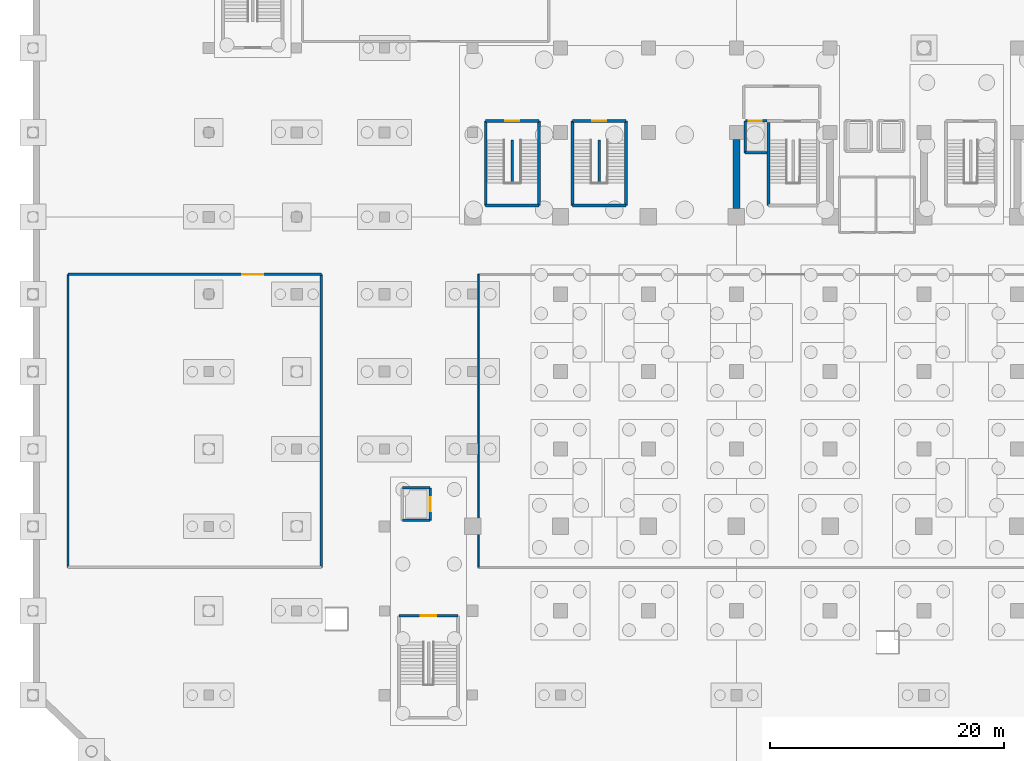
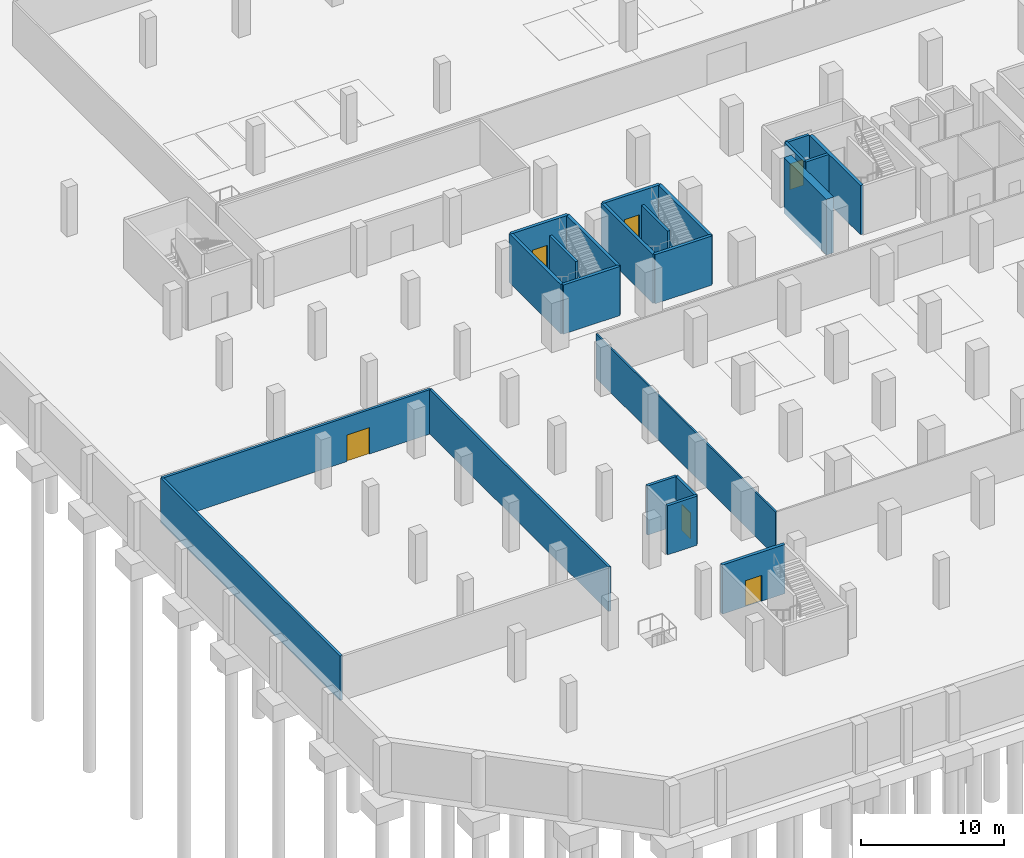
# One storey, part 7 of 26: 23 walls, 6 doors, 6 openings.
"""IFC4 building model written with IfcOpenShell, lengths in metres."""

import ifcopenshell
import ifcopenshell.guid

model = None  # the IFC model being written
_history = None  # IfcOwnerHistory: only IFC2X3 demands one
_inside = {}  # id of a spatial element -> (the spatial element, [elements in it])
_under = {}  # id of a project, library or spatial element -> (it, [spatial elements below it])
_declared = {}  # id of a project -> (the project, [libraries it declares])
_typed = {}  # id of a type object -> (the type object, [elements of that type])
_made_of = {}  # id of a material, layer set ... -> (it, [elements and type objects made of it])


def new_model(schema):
    """Start an empty IFC model of exactly this schema.

    Asked for "IFC4X3", IfcOpenShell would pick the latest addendum, in which some entities
    have other attributes; the version numbers below select the first issue.
    IFC2X3 requires an IfcOwnerHistory on every rooted entity: one is made here for all.
    """
    global model, _history
    if schema == "IFC4X3":
        model = ifcopenshell.file(schema_version=(4, 3, 0, 0))
    else:
        model = ifcopenshell.file(schema=schema)
    _inside.clear()
    _under.clear()
    _declared.clear()
    _typed.clear()
    _made_of.clear()
    _history = None
    if model.schema == "IFC2X3":
        org = make("IfcOrganization", Name="unknown")
        user = make(
            "IfcPersonAndOrganization",
            ThePerson=make("IfcPerson", FamilyName="unknown"),
            TheOrganization=org,
        )
        app = make(
            "IfcApplication",
            ApplicationDeveloper=org,
            Version="unknown",
            ApplicationFullName="unknown",
            ApplicationIdentifier="unknown",
        )
        _history = make(
            "IfcOwnerHistory",
            OwningUser=user,
            OwningApplication=app,
            ChangeAction="ADDED",
            CreationDate=0,
        )
    return model


def make(cls, **values):
    """One entity of the class cls with the attributes given. An attribute that is None is left unset."""
    return model.create_entity(
        cls, **{name: value for name, value in values.items() if value is not None}
    )


def rooted(cls, **values):
    """An entity with a GlobalId (a new one), such as an element, a storey or a relation."""
    return make(cls, GlobalId=ifcopenshell.guid.new(), OwnerHistory=_history, **values)


def si_unit(unit_type, name, prefix=None):
    """IfcSIUnit, for example si_unit("LENGTHUNIT", "METRE", prefix="MILLI")."""
    return make("IfcSIUnit", UnitType=unit_type, Prefix=prefix, Name=name)


def assignment(units):
    """IfcUnitAssignment: the units of a project."""
    return None if units is None else make("IfcUnitAssignment", Units=units)


def point(xyz):
    """IfcCartesianPoint."""
    return None if xyz is None else make("IfcCartesianPoint", Coordinates=xyz)


def direction(xyz):
    """IfcDirection."""
    return None if xyz is None else make("IfcDirection", DirectionRatios=xyz)


def frame(location, z_axis=None, x_axis=None):
    """IfcAxis2Placement3D, a coordinate frame: its origin and axes. An axis left out is left unset."""
    return make(
        "IfcAxis2Placement3D",
        Location=point(location),
        Axis=direction(z_axis),
        RefDirection=direction(x_axis),
    )


def frame_2d(location, x_axis=None):
    """IfcAxis2Placement2D, a coordinate frame in the plane: its origin and x axis."""
    return make(
        "IfcAxis2Placement2D", Location=point(location), RefDirection=direction(x_axis)
    )


def origin():
    """The frame at (0, 0, 0) with its axes left unset."""
    return frame((0.0, 0.0, 0.0))


def place(relative_to, where):
    """IfcLocalPlacement: puts the frame where relative to a parent placement (None: the world)."""
    return make(
        "IfcLocalPlacement", PlacementRelTo=relative_to, RelativePlacement=where
    )


def context(
    kind, dimensions, precision=None, world=None, true_north=None, identifier=None
):
    """IfcGeometricRepresentationContext, for example the 3D "Model" context."""
    return make(
        "IfcGeometricRepresentationContext",
        ContextIdentifier=identifier,
        ContextType=kind,
        CoordinateSpaceDimension=dimensions,
        Precision=precision,
        WorldCoordinateSystem=world,
        TrueNorth=true_north,
    )


def subcontext(parent, identifier, kind, view, scale=None):
    """IfcGeometricRepresentationSubContext, for example "Body" below "Model"."""
    return make(
        "IfcGeometricRepresentationSubContext",
        ContextIdentifier=identifier,
        ContextType=kind,
        ParentContext=parent,
        TargetScale=scale,
        TargetView=view,
    )


def project(units=None, contexts=None):
    """IfcProject with its units and contexts."""
    return rooted(
        "IfcProject",
        Name="project",
        RepresentationContexts=contexts,
        UnitsInContext=assignment(units),
    )


def spatial(cls, under=None, at=None, **own):
    """A site, building, storey or space (cls), placed at a placement, below another one or the project."""
    s = rooted(cls, ObjectPlacement=at, **own)
    if under is not None:
        _under.setdefault(under.id(), (under, []))[1].append(s)
    return s


def profile(cls, at=None, kind="AREA", **sizes):
    """A parametric profile (cls). Its sizes go by their IFC names, for example OverallWidth=200.0."""
    return make(cls, ProfileType=kind, Position=at, **sizes)


def rectangle(**sizes):
    """IfcRectangleProfileDef."""
    return profile("IfcRectangleProfileDef", **sizes)


def extrude(swept, where, along, depth):
    """IfcExtrudedAreaSolid: the profile swept, set in the frame where, extruded along a direction by depth."""
    return make(
        "IfcExtrudedAreaSolid",
        SweptArea=swept,
        Position=where,
        ExtrudedDirection=direction(along),
        Depth=depth,
    )


def shape(context_of_items, identifier, shape_type, items):
    """IfcShapeRepresentation: the items that make up one representation, for example the "Body"."""
    return make(
        "IfcShapeRepresentation",
        ContextOfItems=context_of_items,
        RepresentationIdentifier=identifier,
        RepresentationType=shape_type,
        Items=items,
    )


def material(Name=None, Category=None):
    """IfcMaterial."""
    return make("IfcMaterial", Name=Name, Category=Category)


def layer(
    of_material, thickness, ventilated=None, Name=None, Category=None, Priority=None
):
    """IfcMaterialLayer: one layer of a wall or slab, of a material (None: an air gap)."""
    return make(
        "IfcMaterialLayer",
        Material=of_material,
        LayerThickness=thickness,
        IsVentilated=ventilated,
        Name=Name,
        Category=Category,
        Priority=Priority,
    )


def layer_set(layers, Name=None):
    """IfcMaterialLayerSet."""
    return make("IfcMaterialLayerSet", MaterialLayers=layers, LayerSetName=Name)


def made_of(thing, what):
    """Note that an element or type object is made of a material, layer set ...; save() writes the relation."""
    if what is not None:
        _made_of.setdefault(what.id(), (what, []))[1].append(thing)
    return thing


def type_object(cls, material=None, **own):
    """A type object (cls), such as IfcWallType, which elements share."""
    return made_of(rooted(cls, **own), material)


def element(
    cls,
    number,
    at=None,
    inside=None,
    cuts=None,
    type_object=None,
    material=None,
    context=None,
    identifier="Body",
    shape_type=None,
    held_by="IfcProductDefinitionShape",
    body=None,
    shapes=None,
    **own,
):
    """One element of the class cls, such as IfcWall. Its Tag is "e" and its number.

    at: its placement. inside: the storey or other place that contains it. cuts: it is an
    opening in that element (IfcRelVoidsElement). A single representation is given by context,
    identifier, shape_type and body (its items); several are given by shapes. held_by: the class
    of the entity that holds the representations. save() writes the other relations.
    """
    e = rooted(cls, Tag="e%d" % number, ObjectPlacement=at, **own)
    if body is not None:
        shapes = [shape(context, identifier, shape_type, body)]
    if shapes is not None:
        e.Representation = make(held_by, Representations=shapes)
    if inside is not None:
        _inside.setdefault(inside.id(), (inside, []))[1].append(e)
    if cuts is not None:
        rooted(
            "IfcRelVoidsElement", RelatingBuildingElement=cuts, RelatedOpeningElement=e
        )
    if type_object is not None:
        _typed.setdefault(type_object.id(), (type_object, []))[1].append(e)
    return made_of(e, material)


def fill(opening, filler):
    """IfcRelFillsElement: the door or window that sits in an opening."""
    return rooted(
        "IfcRelFillsElement",
        RelatingOpeningElement=opening,
        RelatedBuildingElement=filler,
    )


def aggregate(whole, parts):
    """IfcRelAggregates: a whole, such as a stair, and the parts it consists of."""
    return rooted("IfcRelAggregates", RelatingObject=whole, RelatedObjects=parts)


def save(model, path):
    """Write the relations noted so far, then the file.

    IfcRelAggregates (storeys below a building ...), IfcRelContainedInSpatialStructure (elements
    in a storey), IfcRelDefinesByType, IfcRelAssociatesMaterial and IfcRelDeclares: one each for
    every whole, place, type object, material and project.
    """
    for whole, parts in _under.values():
        aggregate(whole, parts)
    for where, things in _inside.values():
        rooted(
            "IfcRelContainedInSpatialStructure",
            RelatedElements=things,
            RelatingStructure=where,
        )
    for kind, things in _typed.values():
        rooted("IfcRelDefinesByType", RelatedObjects=things, RelatingType=kind)
    for what, things in _made_of.values():
        rooted("IfcRelAssociatesMaterial", RelatedObjects=things, RelatingMaterial=what)
    for by, libraries in _declared.values():
        rooted("IfcRelDeclares", RelatingContext=by, RelatedDefinitions=libraries)
    model.write(path)


model = new_model("IFC4")

# Units and contexts
model_context = context("Model", 3, precision=1e-05, world=origin(), true_north=direction((0.0, 1.0)))
body_context = subcontext(model_context, "Body", "Model", "MODEL_VIEW")
ifc_project = project(units=[si_unit("LENGTHUNIT", "METRE"), si_unit("AREAUNIT", "SQUARE_METRE"), si_unit("VOLUMEUNIT", "CUBIC_METRE"), si_unit("PLANEANGLEUNIT", "RADIAN"), si_unit("MASSUNIT", "GRAM", prefix="KILO")], contexts=[model_context])

# Site, building, storey
site_placement = place(None, origin())
site = spatial("IfcSite", under=ifc_project, at=site_placement, CompositionType="ELEMENT")
building_placement = place(site_placement, origin())
building = spatial("IfcBuilding", under=site, at=building_placement, Name="Akrevak Sports Hall", CompositionType="ELEMENT")
storey_placement = place(building_placement, frame((0.0, 0.0, -9.0)))
storey = spatial("IfcBuildingStorey", under=building, at=storey_placement, Name="B02", CompositionType="ELEMENT", Elevation=-9.0)

# Wall
ifc_material_1 = material(Name="Acoustic Metal Stud Partition", Category="gypsum")
ifc_layer_1 = layer(ifc_material_1, 0.1298828125, Name="Acoustic Metal Stud Partition")
ifc_layer_set_1 = layer_set([ifc_layer_1], Name="Acoustic Metal Stud Partition")
wall_type_1 = type_object("IfcWallType", Name="ARC-WL-PRT-130", PredefinedType="PARTITIONING", material=ifc_layer_set_1)
wall_1_placement = place(storey_placement, frame((38.0, 25.300048828125, 0.0), z_axis=(0.0, 0.0, 1.0), x_axis=(0.0, 1.0, 0.0)))
element("IfcWall", 1, at=wall_1_placement, inside=storey, type_object=wall_type_1, Name="Interior Partition Underground Car Park Hall South B02 (W)", PredefinedType="PARTITIONING", context=body_context, shape_type="SweptSolid", body=[
    extrude(rectangle(XDim=25.0, YDim=0.1298828125, at=frame_2d((12.5, 0.0))), origin(), (0.0, 0.0, 1.0), 3.780029296875),
])

# Wall, opening, door
ifc_material_2 = material(Name="Autoclaved Aerated Masonry Block", Category="masonry")
ifc_layer_2 = layer(ifc_material_2, 0.199951171875, Name="Autoclaved Aerated Masonry Block")
ifc_layer_set_2 = layer_set([ifc_layer_2], Name="Autoclaved Aerated Masonry Block")
wall_type_2 = type_object("IfcWallType", Name="ARC-WL-PRT-200", PredefinedType="PARTITIONING", material=ifc_layer_set_2)
wall_2_placement = place(storey_placement, frame((3.0, 50.300048828125, 0.0), z_axis=(0.0, 0.0, 1.0), x_axis=(1.0, 0.0, 0.0)))
wall_2 = element("IfcWall", 2, at=wall_2_placement, inside=storey, type_object=wall_type_2, Name="Interior Partition Central Mechanical & Chiller Plant B02 (N)", PredefinedType="PARTITIONING", context=body_context, shape_type="SweptSolid", body=[
    extrude(rectangle(XDim=21.60009765625, YDim=0.199951171875, at=frame_2d((10.800048828125, 0.0))), origin(), (0.0, 0.0, 1.0), 3.780029296875),
])
opening_1_placement = place(wall_2_placement, frame((14.85009765625, 0.0, 0.0)))
opening_1 = element("IfcOpeningElement", 3, at=opening_1_placement, cuts=wall_2, Name="Opening ID-02", PredefinedType="OPENING", context=body_context, shape_type="SweptSolid", body=[
    extrude(rectangle(XDim=1.800048828125, YDim=2.25, at=frame_2d((0.89990234375, 1.125))), frame((0.0, 0.11181640625, 0.0), z_axis=(0.0, -1.0, 0.0), x_axis=(1.0, 0.0, 0.0)), (0.0, 0.0, 1.0), 0.223876953125),
])
ifc_material_3 = material(Name="Hardwood Oak & Safety Glass", Category="wood")
door_type_1 = type_object("IfcDoorType", Name="ARC-DR-HALL-180x225", OperationType="DOUBLE_DOOR_SINGLE_SWING", PredefinedType="DOOR", material=ifc_material_3)
door_1_placement = place(opening_1_placement, origin())
door_1 = element("IfcDoor", 4, at=door_1_placement, inside=storey, type_object=door_type_1, Name="Door to Central Mechanical & Chiller Plant B02", OperationType="DOUBLE_DOOR_SINGLE_SWING", OverallHeight=2.25, OverallWidth=1.800048828125, PredefinedType="DOOR", context=body_context, shape_type="SweptSolid", body=[
    extrude(rectangle(XDim=1.800048828125, YDim=2.25, at=frame_2d((0.89990234375, 1.125))), frame((0.0, 0.02490234375, 0.0), z_axis=(0.0, -1.0, 0.0), x_axis=(1.0, 0.0, 0.0)), (0.0, 0.0, 1.0), 0.050048828125),
])
fill(opening_1, door_1)

# Walls
for number, where, z_axis, x_axis, name in (
    (5, (3.0, 25.300048828125, 0.0), (0.0, 0.0, 1.0), (0.0, 1.0, 0.0), "Interior Partition Central Mechanical & Chiller Plant B02 (W)"),
    (6, (24.60009765625, 25.300048828125, 0.0), (0.0, 0.0, 1.0), (0.0, 1.0, 0.0), "Interior Partition Central Mechanical & Chiller Plant B02 (E)"),
):
    element("IfcWall", number, at=place(storey_placement, frame(where, z_axis=z_axis, x_axis=x_axis)), inside=storey, type_object=wall_type_2, Name=name, PredefinedType="PARTITIONING", context=body_context, shape_type="SweptSolid", body=[
        extrude(rectangle(XDim=25.0, YDim=0.199951171875, at=frame_2d((12.5, 0.0))), origin(), (0.0, 0.0, 1.0), 3.780029296875),
    ])
ifc_material_4 = material(Name="Concrete C40/50", Category="concrete")
ifc_layer_3 = layer(ifc_material_4, 0.219970703125, Name="Concrete C40/50")
ifc_layer_set_3 = layer_set([ifc_layer_3], Name="Concrete C40/50")
wall_type_3 = type_object("IfcWallType", Name="ARC-WL-PRT-220", PredefinedType="PARTITIONING", material=ifc_layer_set_3)
for number, where, z_axis, x_axis, name in (
    (7, (48.300048828125, 58.094970703125, 0.0), (0.0, 0.0, 1.0), (0.0, 1.0, 0.0), "Stair ST4 Central Spine Wall (B02)"),
    (8, (40.89990234375, 58.094970703125, 0.0), (0.0, 0.0, 1.0), (0.0, 1.0, 0.0), "Stair ST9 Central Spine Wall (B02)"),
):
    element("IfcWall", number, at=place(storey_placement, frame(where, z_axis=z_axis, x_axis=x_axis)), inside=storey, type_object=wall_type_3, Name=name, PredefinedType="PARTITIONING", context=body_context, shape_type="SweptSolid", body=[
        extrude(rectangle(XDim=3.64013671875, YDim=0.219970703125, at=frame_2d((1.820068359375, 0.0))), origin(), (0.0, 0.0, 1.0), 4.179931640625),
    ])
ifc_material_5 = material(Name="Concrete C50/60", Category="concrete")
ifc_layer_4 = layer(ifc_material_5, 0.219970703125, Name="Concrete C50/60")
ifc_layer_set_4 = layer_set([ifc_layer_4], Name="Concrete C50/60")
wall_type_4 = type_object("IfcWallType", Name="ARC-WL-SHAFT-220", PredefinedType="SHEAR", material=ifc_layer_set_4)
wall_3_placement = place(storey_placement, frame((60.760009765625, 60.659912109375, 0.0), z_axis=(0.0, 0.0, 1.0), x_axis=(1.0, 0.0, 0.0)))
element("IfcWall", 9, at=wall_3_placement, inside=storey, type_object=wall_type_4, Name="Lift Shaft LF-FF1 Wall S (B02)", PredefinedType="SHEAR", context=body_context, shape_type="SweptSolid", body=[
    extrude(rectangle(XDim=1.840087890625, YDim=0.219970703125, at=frame_2d((0.919921875, 0.0))), origin(), (0.0, 0.0, 1.0), 4.179931640625),
])

# Wall, opening, door
wall_4_placement = place(storey_placement, frame((62.60009765625, 63.389892578125, 0.0), z_axis=(0.0, 0.0, 1.0), x_axis=(-1.0, 0.0, 0.0)))
wall_4 = element("IfcWall", 10, at=wall_4_placement, inside=storey, type_object=wall_type_4, Name="Lift Shaft LF-FF1 Wall N (B02)", PredefinedType="SHEAR", context=body_context, shape_type="SweptSolid", body=[
    extrude(rectangle(XDim=1.840087890625, YDim=0.219970703125, at=frame_2d((0.919921875, 0.0))), origin(), (0.0, 0.0, 1.0), 4.179931640625),
])
opening_2_placement = place(wall_4_placement, frame((0.425048828125, 0.0, 0.0)))
opening_2 = element("IfcOpeningElement", 11, at=opening_2_placement, cuts=wall_4, Name="Opening LD-01", PredefinedType="OPENING", context=body_context, shape_type="SweptSolid", body=[
    extrude(rectangle(XDim=1.10009765625, YDim=2.199951171875, at=frame_2d((0.550048828125, 1.10009765625))), frame((0.0, 0.1220703125, 0.0), z_axis=(0.0, -1.0, 0.0), x_axis=(1.0, 0.0, 0.0)), (0.0, 0.0, 1.0), 0.243896484375),
])
ifc_material_6 = material(Name="Brushed Stainless Steel 304", Category="steel")
door_type_2 = type_object("IfcDoorType", Name="ARC-DR-LD-110x220", OperationType="SLIDING_TO_LEFT", PredefinedType="DOOR", material=ifc_material_6)
door_2_placement = place(opening_2_placement, origin())
door_2 = element("IfcDoor", 12, at=door_2_placement, inside=storey, type_object=door_type_2, Name="Lift LF-FF1 Sliding Landing Door (B02)", OperationType="SLIDING_TO_LEFT", OverallHeight=2.199951171875, OverallWidth=1.10009765625, PredefinedType="DOOR", context=body_context, shape_type="SweptSolid", body=[
    extrude(rectangle(XDim=1.10009765625, YDim=2.199951171875, at=frame_2d((0.550048828125, 1.10009765625))), frame((0.0, 0.02490234375, 0.0), z_axis=(0.0, -1.0, 0.0), x_axis=(1.0, 0.0, 0.0)), (0.0, 0.0, 1.0), 0.050048828125),
])
fill(opening_2, door_2)

# Walls
wall_5_placement = place(storey_placement, frame((60.760009765625, 63.389892578125, 0.0), z_axis=(0.0, 0.0, 1.0), x_axis=(0.0, -1.0, 0.0)))
element("IfcWall", 13, at=wall_5_placement, inside=storey, type_object=wall_type_4, Name="Lift Shaft LF-FF1 Wall W (B02)", PredefinedType="SHEAR", context=body_context, shape_type="SweptSolid", body=[
    extrude(rectangle(XDim=2.72998046875, YDim=0.219970703125, at=frame_2d((1.364990234375, 0.0))), origin(), (0.0, 0.0, 1.0), 4.179931640625),
])
for number, where, z_axis, x_axis, name in (
    (14, (31.510009765625, 29.31005859375, 0.0), (0.0, 0.0, 1.0), (1.0, 0.0, 0.0), "Lift Shaft LF-G1 Wall S (B02)"),
    (15, (33.889892578125, 32.090087890625, 0.0), (0.0, 0.0, 1.0), (-1.0, 0.0, 0.0), "Lift Shaft LF-G1 Wall N (B02)"),
):
    element("IfcWall", number, at=place(storey_placement, frame(where, z_axis=z_axis, x_axis=x_axis)), inside=storey, type_object=wall_type_4, Name=name, PredefinedType="SHEAR", context=body_context, shape_type="SweptSolid", body=[
        extrude(rectangle(XDim=2.3798828125, YDim=0.219970703125, at=frame_2d((1.18994140625, 0.0))), origin(), (0.0, 0.0, 1.0), 4.179931640625),
    ])

# Wall, opening, door
wall_6_placement = place(storey_placement, frame((33.889892578125, 29.31005859375, 0.0), z_axis=(0.0, 0.0, 1.0), x_axis=(0.0, 1.0, 0.0)))
wall_6 = element("IfcWall", 16, at=wall_6_placement, inside=storey, type_object=wall_type_4, Name="Lift Shaft LF-G1 Wall E (B02)", PredefinedType="SHEAR", context=body_context, shape_type="SweptSolid", body=[
    extrude(rectangle(XDim=2.780029296875, YDim=0.219970703125, at=frame_2d((1.39013671875, 0.0))), origin(), (0.0, 0.0, 1.0), 4.179931640625),
])
opening_3_placement = place(wall_6_placement, frame((0.7900390625, 0.0, 0.0)))
opening_3 = element("IfcOpeningElement", 17, at=opening_3_placement, cuts=wall_6, Name="Opening LD-02", PredefinedType="OPENING", context=body_context, shape_type="SweptSolid", body=[
    extrude(rectangle(XDim=1.199951171875, YDim=2.199951171875, at=frame_2d((0.60009765625, 1.10009765625))), frame((0.0, 0.1220703125, 0.0), z_axis=(0.0, -1.0, 0.0), x_axis=(1.0, 0.0, 0.0)), (0.0, 0.0, 1.0), 0.243896484375),
])
door_type_3 = type_object("IfcDoorType", Name="ARC-DR-LD-120x220", OperationType="SLIDING_TO_RIGHT", PredefinedType="DOOR", material=ifc_material_6)
door_3_placement = place(opening_3_placement, origin())
door_3 = element("IfcDoor", 18, at=door_3_placement, inside=storey, type_object=door_type_3, Name="Lift LF-G1 Sliding Landing Door (B02)", OperationType="SLIDING_TO_LEFT", OverallHeight=2.199951171875, OverallWidth=1.199951171875, PredefinedType="DOOR", context=body_context, shape_type="SweptSolid", body=[
    extrude(rectangle(XDim=1.199951171875, YDim=2.199951171875, at=frame_2d((0.60009765625, 1.10009765625))), frame((0.0, 0.02490234375, 0.0), z_axis=(0.0, -1.0, 0.0), x_axis=(1.0, 0.0, 0.0)), (0.0, 0.0, 1.0), 0.050048828125),
])
fill(opening_3, door_3)

# Walls
ifc_layer_5 = layer(ifc_material_5, 0.60009765625, Name="Concrete C50/60")
ifc_layer_set_5 = layer_set([ifc_layer_5], Name="Concrete C50/60")
wall_type_5 = type_object("IfcWallType", Name="STR-WL-CORE-600", PredefinedType="SHEAR", material=ifc_layer_set_5)
wall_7_placement = place(storey_placement, frame((60.0, 55.89990234375, -0.550048828125), z_axis=(0.0, 0.0, 1.0), x_axis=(0.0, 1.0, 0.0)))
element("IfcWall", 19, at=wall_7_placement, inside=storey, type_object=wall_type_5, Name="Reinforced Concrete Shear Wall SW-W2 (B02)", PredefinedType="SHEAR", context=body_context, shape_type="SweptSolid", body=[
    extrude(rectangle(XDim=5.900146484375, YDim=0.60009765625, at=frame_2d((2.9501953125, 0.0))), origin(), (0.0, 0.0, 1.0), 4.72998046875),
])
ifc_layer_6 = layer(ifc_material_5, 0.25, Name="Concrete C50/60")
ifc_layer_set_6 = layer_set([ifc_layer_6], Name="Concrete C50/60")
wall_type_6 = type_object("IfcWallType", Name="STR-WL-STAIR-250", PredefinedType="SHEAR", material=ifc_layer_set_6)
wall_8_placement = place(storey_placement, frame((62.72509765625, 63.25, 0.0), z_axis=(0.0, 0.0, 1.0), x_axis=(0.0, -1.0, 0.0)))
element("IfcWall", 20, at=wall_8_placement, inside=storey, type_object=wall_type_6, Name="Stair Core ST1 Shear Wall W (B02)", PredefinedType="SHEAR", context=body_context, shape_type="SweptSolid", body=[
    extrude(rectangle(XDim=7.074951171875, YDim=0.25, at=frame_2d((3.53759765625, 0.0))), origin(), (0.0, 0.0, 1.0), 4.179931640625),
])
wall_9_placement = place(storey_placement, frame((46.02490234375, 56.175048828125, 0.0), z_axis=(0.0, 0.0, 1.0), x_axis=(1.0, 0.0, 0.0)))
element("IfcWall", 21, at=wall_9_placement, inside=storey, type_object=wall_type_6, Name="Stair Core ST4 Shear Wall S (B02)", PredefinedType="SHEAR", context=body_context, shape_type="SweptSolid", body=[
    extrude(rectangle(XDim=4.550048828125, YDim=0.25, at=frame_2d((2.27490234375, 0.0))), origin(), (0.0, 0.0, 1.0), 4.179931640625),
])

# Wall, opening, door
wall_10_placement = place(storey_placement, frame((50.574951171875, 63.375, 0.0), z_axis=(0.0, 0.0, 1.0), x_axis=(-1.0, 0.0, 0.0)))
wall_10 = element("IfcWall", 22, at=wall_10_placement, inside=storey, type_object=wall_type_6, Name="Stair Core ST4 Shear Wall N (B02)", PredefinedType="SHEAR", context=body_context, shape_type="SweptSolid", body=[
    extrude(rectangle(XDim=4.550048828125, YDim=0.25, at=frame_2d((2.27490234375, 0.0))), origin(), (0.0, 0.0, 1.0), 4.179931640625),
])
opening_4_placement = place(wall_10_placement, frame((1.675048828125, 0.0, 0.0)))
opening_4 = element("IfcOpeningElement", 23, at=opening_4_placement, cuts=wall_10, Name="Opening SD-02", PredefinedType="OPENING", context=body_context, shape_type="SweptSolid", body=[
    extrude(rectangle(XDim=1.199951171875, YDim=2.199951171875, at=frame_2d((0.60009765625, 1.10009765625))), frame((0.0, 0.136962890625, 0.0), z_axis=(0.0, -1.0, 0.0), x_axis=(1.0, 0.0, 0.0)), (0.0, 0.0, 1.0), 0.27392578125),
])
ifc_material_7 = material(Name="Fire-Rated Galvanized Door Steel", Category="steel")
door_type_4 = type_object("IfcDoorType", Name="ARC-DR-STAIR-120x220", OperationType="NOTDEFINED", PredefinedType="DOOR", material=ifc_material_7)
door_4_placement = place(opening_4_placement, origin())
door_4 = element("IfcDoor", 24, at=door_4_placement, inside=storey, type_object=door_type_4, Name="Exit Stair ST4 Door (B02)", OperationType="SINGLE_SWING_LEFT", OverallHeight=2.199951171875, OverallWidth=1.199951171875, PredefinedType="DOOR", context=body_context, shape_type="SweptSolid", body=[
    extrude(rectangle(XDim=1.199951171875, YDim=2.199951171875, at=frame_2d((0.60009765625, 1.10009765625))), frame((0.0, 0.02490234375, 0.0), z_axis=(0.0, -1.0, 0.0), x_axis=(1.0, 0.0, 0.0)), (0.0, 0.0, 1.0), 0.050048828125),
])
fill(opening_4, door_4)

# Walls
for number, where, z_axis, x_axis, name in (
    (25, (46.02490234375, 63.375, 0.0), (0.0, 0.0, 1.0), (0.0, -1.0, 0.0), "Stair Core ST4 Shear Wall W (B02)"),
    (26, (50.574951171875, 56.175048828125, 0.0), (0.0, 0.0, 1.0), (0.0, 1.0, 0.0), "Stair Core ST4 Shear Wall E (B02)"),
):
    element("IfcWall", number, at=place(storey_placement, frame(where, z_axis=z_axis, x_axis=x_axis)), inside=storey, type_object=wall_type_6, Name=name, PredefinedType="SHEAR", context=body_context, shape_type="SweptSolid", body=[
        extrude(rectangle(XDim=7.199951171875, YDim=0.25, at=frame_2d((3.60009765625, 0.0))), origin(), (0.0, 0.0, 1.0), 4.179931640625),
    ])

# Wall, opening, door
wall_11_placement = place(storey_placement, frame((36.27490234375, 21.175048828125, 0.0), z_axis=(0.0, 0.0, 1.0), x_axis=(-1.0, 0.0, 0.0)))
wall_11 = element("IfcWall", 27, at=wall_11_placement, inside=storey, type_object=wall_type_6, Name="Stair Core ST5 Shear Wall N (B02)", PredefinedType="SHEAR", context=body_context, shape_type="SweptSolid", body=[
    extrude(rectangle(XDim=5.0498046875, YDim=0.25, at=frame_2d((2.52490234375, 0.0))), origin(), (0.0, 0.0, 1.0), 4.179931640625),
])
opening_5_placement = place(wall_11_placement, frame((1.875, 0.0, 0.0)))
opening_5 = element("IfcOpeningElement", 28, at=opening_5_placement, cuts=wall_11, Name="Opening SD-01", PredefinedType="OPENING", context=body_context, shape_type="SweptSolid", body=[
    extrude(rectangle(XDim=1.300048828125, YDim=2.199951171875, at=frame_2d((0.64990234375, 1.10009765625))), frame((0.0, 0.136962890625, 0.0), z_axis=(0.0, -1.0, 0.0), x_axis=(1.0, 0.0, 0.0)), (0.0, 0.0, 1.0), 0.27392578125),
])
door_type_5 = type_object("IfcDoorType", Name="ARC-DR-STAIR-130x220", OperationType="NOTDEFINED", PredefinedType="DOOR", material=ifc_material_7)
door_5_placement = place(opening_5_placement, origin())
door_5 = element("IfcDoor", 29, at=door_5_placement, inside=storey, type_object=door_type_5, Name="Exit Stair ST5 Door (B02)", OperationType="SINGLE_SWING_RIGHT", OverallHeight=2.199951171875, OverallWidth=1.300048828125, PredefinedType="DOOR", context=body_context, shape_type="SweptSolid", body=[
    extrude(rectangle(XDim=1.300048828125, YDim=2.199951171875, at=frame_2d((0.64990234375, 1.10009765625))), frame((0.0, 0.02490234375, 0.0), z_axis=(0.0, -1.0, 0.0), x_axis=(1.0, 0.0, 0.0)), (0.0, 0.0, 1.0), 0.050048828125),
])
fill(opening_5, door_5)

# Wall
wall_12_placement = place(storey_placement, frame((38.625, 56.175048828125, 0.0), z_axis=(0.0, 0.0, 1.0), x_axis=(1.0, 0.0, 0.0)))
element("IfcWall", 30, at=wall_12_placement, inside=storey, type_object=wall_type_6, Name="Stair Core ST9 Shear Wall S (B02)", PredefinedType="SHEAR", context=body_context, shape_type="SweptSolid", body=[
    extrude(rectangle(XDim=4.550048828125, YDim=0.25, at=frame_2d((2.27490234375, 0.0))), origin(), (0.0, 0.0, 1.0), 4.179931640625),
])

# Wall, opening, door
wall_13_placement = place(storey_placement, frame((43.175048828125, 63.375, 0.0), z_axis=(0.0, 0.0, 1.0), x_axis=(-1.0, 0.0, 0.0)))
wall_13 = element("IfcWall", 31, at=wall_13_placement, inside=storey, type_object=wall_type_6, Name="Stair Core ST9 Shear Wall N (B02)", PredefinedType="SHEAR", context=body_context, shape_type="SweptSolid", body=[
    extrude(rectangle(XDim=4.550048828125, YDim=0.25, at=frame_2d((2.27490234375, 0.0))), origin(), (0.0, 0.0, 1.0), 4.179931640625),
])
opening_6_placement = place(wall_13_placement, frame((1.675048828125, 0.0, 0.0)))
opening_6 = element("IfcOpeningElement", 32, at=opening_6_placement, cuts=wall_13, Name="Opening SD-02", PredefinedType="OPENING", context=body_context, shape_type="SweptSolid", body=[
    extrude(rectangle(XDim=1.199951171875, YDim=2.199951171875, at=frame_2d((0.60009765625, 1.10009765625))), frame((0.0, 0.136962890625, 0.0), z_axis=(0.0, -1.0, 0.0), x_axis=(1.0, 0.0, 0.0)), (0.0, 0.0, 1.0), 0.27392578125),
])
door_6_placement = place(opening_6_placement, origin())
door_6 = element("IfcDoor", 33, at=door_6_placement, inside=storey, type_object=door_type_4, Name="Exit Stair ST9 Door (B02)", OperationType="SINGLE_SWING_RIGHT", OverallHeight=2.199951171875, OverallWidth=1.199951171875, PredefinedType="DOOR", context=body_context, shape_type="SweptSolid", body=[
    extrude(rectangle(XDim=1.199951171875, YDim=2.199951171875, at=frame_2d((0.60009765625, 1.10009765625))), frame((0.0, 0.02490234375, 0.0), z_axis=(0.0, -1.0, 0.0), x_axis=(1.0, 0.0, 0.0)), (0.0, 0.0, 1.0), 0.050048828125),
])
fill(opening_6, door_6)

# Walls
for number, where, z_axis, x_axis, name in (
    (34, (38.625, 63.375, 0.0), (0.0, 0.0, 1.0), (0.0, -1.0, 0.0), "Stair Core ST9 Shear Wall W (B02)"),
    (35, (43.175048828125, 56.175048828125, 0.0), (0.0, 0.0, 1.0), (0.0, 1.0, 0.0), "Stair Core ST9 Shear Wall E (B02)"),
):
    element("IfcWall", number, at=place(storey_placement, frame(where, z_axis=z_axis, x_axis=x_axis)), inside=storey, type_object=wall_type_6, Name=name, PredefinedType="SHEAR", context=body_context, shape_type="SweptSolid", body=[
        extrude(rectangle(XDim=7.199951171875, YDim=0.25, at=frame_2d((3.60009765625, 0.0))), origin(), (0.0, 0.0, 1.0), 4.179931640625),
    ])

save(model, "model.ifc")
